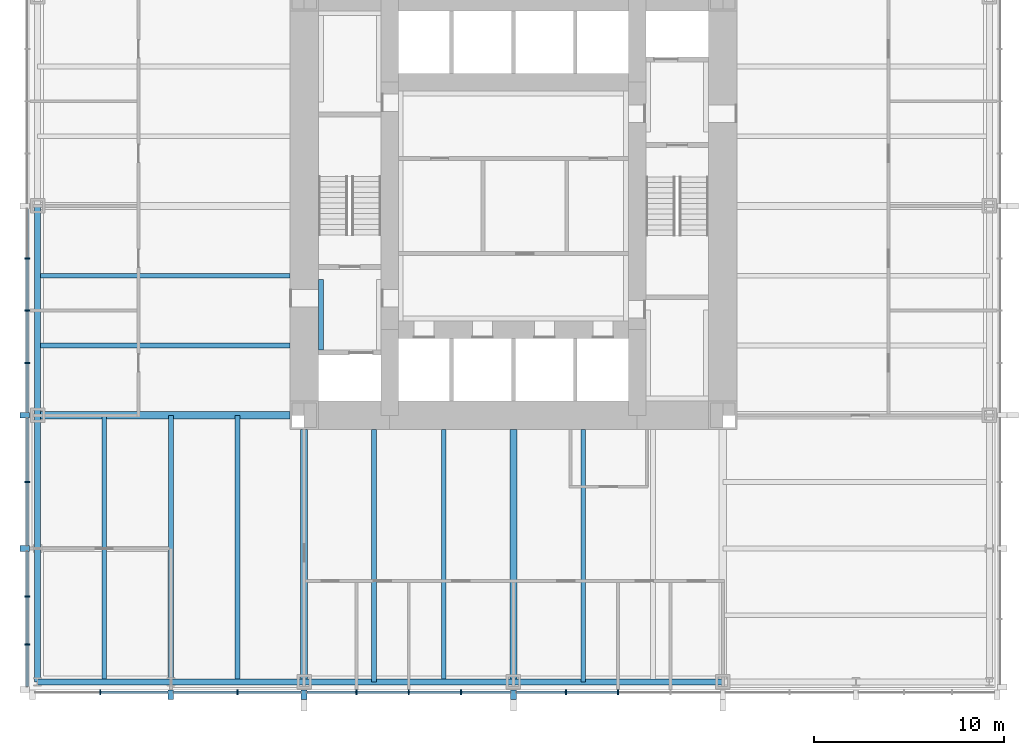
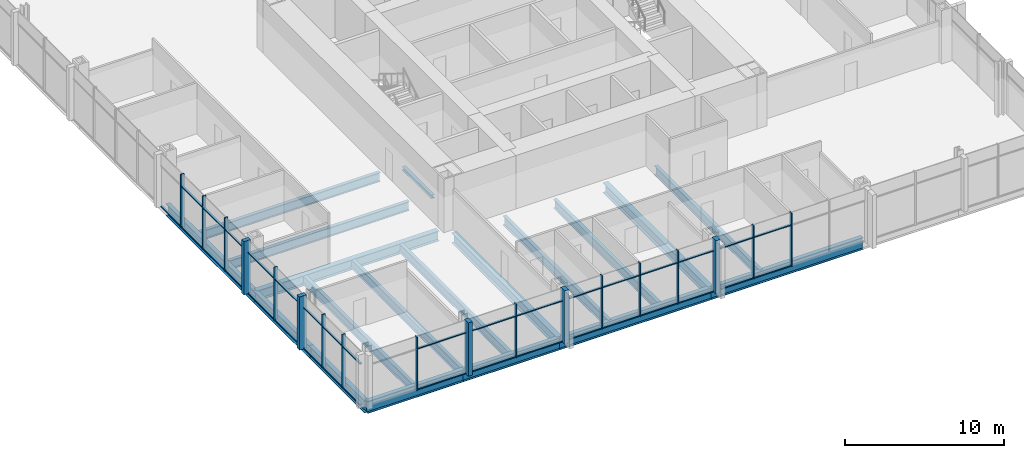
# One storey, part 2 of 12: 53 members, 19 beams, 2 elements without a shape of their own.
"""IFC4 building model written with IfcOpenShell, lengths in metres."""

from ifc_helpers import new_model, si_unit, direction, frame, origin, origin_2d, place, context, subcontext, project, spatial, rectangle, i_section, extrude, material, material_profile, profile_set, type_object, element, aggregate, save


model = new_model("IFC4")

# Units and contexts
model_context = context("Model", 3, precision=1e-05, world=origin(), true_north=direction((0.0, 1.0)))
body_context = subcontext(model_context, "Body", "Model", "MODEL_VIEW")
ifc_project = project(units=[si_unit("LENGTHUNIT", "METRE"), si_unit("AREAUNIT", "SQUARE_METRE"), si_unit("VOLUMEUNIT", "CUBIC_METRE"), si_unit("PLANEANGLEUNIT", "RADIAN"), si_unit("MASSUNIT", "GRAM", prefix="KILO")], contexts=[model_context])

# Site, building, storey
site_placement = place(None, origin())
site = spatial("IfcSite", under=ifc_project, at=site_placement, CompositionType="ELEMENT")
building_placement = place(site_placement, origin())
building = spatial("IfcBuilding", under=site, at=building_placement, Name="Trevanion Tower", CompositionType="ELEMENT")
storey_placement = place(building_placement, frame((0.0, 0.0, 69.300048828125)))
storey = spatial("IfcBuildingStorey", under=building, at=storey_placement, Name="L16", CompositionType="ELEMENT", Elevation=69.300048828125)

# Beams
ifc_material_1 = material(Name="Steel ASTM A992 Grade 50", Category="steel")
ifc_material_profile_1 = material_profile(ifc_material_1, i_section(OverallWidth=0.25390625, OverallDepth=0.700927734375, WebThickness=0.015380859375, FlangeThickness=0.02783203125, at=origin_2d()), Name="W27X129")
ifc_profile_set_1 = profile_set([ifc_material_profile_1], Name="Steel ASTM A992 Grade 50")
beam_type_1 = type_object("IfcBeamType", Name="B3 W27X129", PredefinedType="BEAM", material=ifc_profile_set_1)
for number, where, z_axis, x_axis, name in (
    (1, (-11.75, -3.666748046875, -0.54052734375), (-1.0, 0.0, 0.0), (0.0, -1.0, 0.0), "B3 L16"),
    (2, (-11.75, -7.333251953125, -0.54052734375), (-1.0, 0.0, 0.0), (0.0, -1.0, 0.0), "B3 L16"),
    (3, (-7.333251953125, -11.75, -0.54052734375), (0.0, -1.0, 0.0), (1.0, 0.0, 0.0), "B3 L16"),
    (4, (-3.666748046875, -11.75, -0.54052734375), (0.0, -1.0, 0.0), (1.0, 0.0, 0.0), "B3 L16"),
    (5, (3.666748046875, -11.75, -0.54052734375), (0.0, -1.0, 0.0), (1.0, 0.0, 0.0), "B3 L16"),
):
    element("IfcBeam", number, at=place(storey_placement, frame(where, z_axis=z_axis, x_axis=x_axis)), inside=storey, type_object=beam_type_1, Name=name, PredefinedType="BEAM", context=body_context, shape_type="SweptSolid", body=[
        extrude(i_section(OverallWidth=0.25390625, OverallDepth=0.700927734375, WebThickness=0.015380859375, FlangeThickness=0.02783203125, at=origin_2d()), origin(), (0.0, 0.0, 1.0), 13.25),
    ])
ifc_material_2 = material(Name="Steel ASTM A992 Grade 50", Category="steel")
ifc_material_profile_2 = material_profile(ifc_material_2, i_section(OverallWidth=0.256591796875, OverallDepth=0.693359375, WebThickness=0.014404296875, FlangeThickness=0.023681640625, at=origin_2d()), Name="W27X114")
ifc_profile_set_2 = profile_set([ifc_material_profile_2], Name="Steel ASTM A992 Grade 50")
beam_type_2 = type_object("IfcBeamType", Name="B4 W27X114", PredefinedType="BEAM", material=ifc_profile_set_2)
for number, where, z_axis, x_axis, name in (
    (6, (-14.5, -11.0, -0.536865234375), (0.0, -1.0, 0.0), (1.0, 0.0, 0.0), "B4 L16"),
    (7, (-18.0, -11.0, -0.536865234375), (0.0, -1.0, 0.0), (1.0, 0.0, 0.0), "B4 L16"),
    (8, (-21.5, -11.0, -0.536865234375), (0.0, -1.0, 0.0), (1.0, 0.0, 0.0), "B4 L16"),
):
    element("IfcBeam", number, at=place(storey_placement, frame(where, z_axis=z_axis, x_axis=x_axis)), inside=storey, type_object=beam_type_2, Name=name, PredefinedType="BEAM", context=body_context, shape_type="SweptSolid", body=[
        extrude(i_section(OverallWidth=0.256591796875, OverallDepth=0.693359375, WebThickness=0.014404296875, FlangeThickness=0.023681640625, at=origin_2d()), origin(), (0.0, 0.0, 1.0), 14.0),
    ])

# Curtain wall, members
ifc_material_3 = material(Name="Aluminium and glass", Category="aluminium")
curtain_wall_type = type_object("IfcCurtainWallType", Name="CW1 curtain wall", PredefinedType="USERDEFINED", material=ifc_material_3)
curtain_wall_1_placement = place(storey_placement, origin())
curtain_wall_1 = element("IfcCurtainWall", 9, at=curtain_wall_1_placement, inside=storey, type_object=curtain_wall_type, Name="CW1 L16 2", ObjectType="UNITISED CURTAIN WALL", PredefinedType="USERDEFINED")
ifc_material_4 = material(Name="Aluminium extrusion, anodised bronze", Category="aluminium")
ifc_material_profile_3 = material_profile(ifc_material_4, rectangle(XDim=0.074951171875, YDim=0.25, at=origin_2d()), Name="CW1 mullion")
ifc_profile_set_3 = profile_set([ifc_material_profile_3], Name="Aluminium extrusion, anodised bronze")
member_type_1 = type_object("IfcMemberType", Name="CW1 mullion", PredefinedType="MULLION", material=ifc_profile_set_3)
member_1_placement = place(storey_placement, frame((-25.550048828125, -2.75, -0.18994140625), z_axis=(0.0, 0.0, 1.0), x_axis=(0.0, -1.0, 0.0)))
member_1 = element("IfcMember", 10, at=member_1_placement, type_object=member_type_1, Name="CW1 mullion 10", PredefinedType="MULLION", context=body_context, shape_type="SweptSolid", body=[
    extrude(rectangle(XDim=0.074951171875, YDim=0.25, at=origin_2d()), origin(), (0.0, 0.0, 1.0), 4.099853515625),
])
member_2_placement = place(storey_placement, frame((-25.550048828125, -5.5, -0.18994140625), z_axis=(0.0, 0.0, 1.0), x_axis=(0.0, -1.0, 0.0)))
member_2 = element("IfcMember", 11, at=member_2_placement, type_object=member_type_1, Name="CW1 mullion 11", PredefinedType="MULLION", context=body_context, shape_type="SweptSolid", body=[
    extrude(rectangle(XDim=0.074951171875, YDim=0.25, at=origin_2d()), origin(), (0.0, 0.0, 1.0), 4.099853515625),
])
member_3_placement = place(storey_placement, frame((-25.550048828125, -8.25, -0.18994140625), z_axis=(0.0, 0.0, 1.0), x_axis=(0.0, -1.0, 0.0)))
member_3 = element("IfcMember", 12, at=member_3_placement, type_object=member_type_1, Name="CW1 mullion 12", PredefinedType="MULLION", context=body_context, shape_type="SweptSolid", body=[
    extrude(rectangle(XDim=0.074951171875, YDim=0.25, at=origin_2d()), origin(), (0.0, 0.0, 1.0), 4.099853515625),
])
member_4_placement = place(storey_placement, frame((-25.550048828125, -14.5, -0.18994140625), z_axis=(0.0, 0.0, 1.0), x_axis=(0.0, -1.0, 0.0)))
member_4 = element("IfcMember", 13, at=member_4_placement, type_object=member_type_1, Name="CW1 mullion 14", PredefinedType="MULLION", context=body_context, shape_type="SweptSolid", body=[
    extrude(rectangle(XDim=0.074951171875, YDim=0.25, at=origin_2d()), origin(), (0.0, 0.0, 1.0), 4.099853515625),
])
member_5_placement = place(storey_placement, frame((-25.550048828125, -20.5166015625, -0.18994140625), z_axis=(0.0, 0.0, 1.0), x_axis=(0.0, -1.0, 0.0)))
member_5 = element("IfcMember", 14, at=member_5_placement, type_object=member_type_1, Name="CW1 mullion 16", PredefinedType="MULLION", context=body_context, shape_type="SweptSolid", body=[
    extrude(rectangle(XDim=0.074951171875, YDim=0.25, at=origin_2d()), origin(), (0.0, 0.0, 1.0), 4.099853515625),
])
member_6_placement = place(storey_placement, frame((-25.550048828125, -23.033203125, -0.18994140625), z_axis=(0.0, 0.0, 1.0), x_axis=(0.0, -1.0, 0.0)))
member_6 = element("IfcMember", 15, at=member_6_placement, type_object=member_type_1, Name="CW1 mullion 17", PredefinedType="MULLION", context=body_context, shape_type="SweptSolid", body=[
    extrude(rectangle(XDim=0.074951171875, YDim=0.25, at=origin_2d()), origin(), (0.0, 0.0, 1.0), 4.099853515625),
])

curtain_wall_2_placement = place(storey_placement, origin())
curtain_wall_2 = element("IfcCurtainWall", 16, at=curtain_wall_2_placement, inside=storey, type_object=curtain_wall_type, Name="CW1 L16 3", ObjectType="UNITISED CURTAIN WALL", PredefinedType="USERDEFINED")
member_7_placement = place(storey_placement, frame((-21.7099609375, -25.550048828125, -0.18994140625), z_axis=(0.0, 0.0, 1.0), x_axis=(1.0, 0.0, 0.0)))
member_7 = element("IfcMember", 17, at=member_7_placement, type_object=member_type_1, Name="CW1 mullion 2", PredefinedType="MULLION", context=body_context, shape_type="SweptSolid", body=[
    extrude(rectangle(XDim=0.074951171875, YDim=0.25, at=origin_2d()), origin(), (0.0, 0.0, 1.0), 4.099853515625),
])
member_8_placement = place(storey_placement, frame((-14.5, -25.550048828125, -0.18994140625), z_axis=(0.0, 0.0, 1.0), x_axis=(1.0, 0.0, 0.0)))
member_8 = element("IfcMember", 18, at=member_8_placement, type_object=member_type_1, Name="CW1 mullion 4", PredefinedType="MULLION", context=body_context, shape_type="SweptSolid", body=[
    extrude(rectangle(XDim=0.074951171875, YDim=0.25, at=origin_2d()), origin(), (0.0, 0.0, 1.0), 4.099853515625),
])
member_9_placement = place(storey_placement, frame((-8.25, -25.550048828125, -0.18994140625), z_axis=(0.0, 0.0, 1.0), x_axis=(1.0, 0.0, 0.0)))
member_9 = element("IfcMember", 19, at=member_9_placement, type_object=member_type_1, Name="CW1 mullion 6", PredefinedType="MULLION", context=body_context, shape_type="SweptSolid", body=[
    extrude(rectangle(XDim=0.074951171875, YDim=0.25, at=origin_2d()), origin(), (0.0, 0.0, 1.0), 4.099853515625),
])
member_10_placement = place(storey_placement, frame((-5.5, -25.550048828125, -0.18994140625), z_axis=(0.0, 0.0, 1.0), x_axis=(1.0, 0.0, 0.0)))
member_10 = element("IfcMember", 20, at=member_10_placement, type_object=member_type_1, Name="CW1 mullion 7", PredefinedType="MULLION", context=body_context, shape_type="SweptSolid", body=[
    extrude(rectangle(XDim=0.074951171875, YDim=0.25, at=origin_2d()), origin(), (0.0, 0.0, 1.0), 4.099853515625),
])
member_11_placement = place(storey_placement, frame((-2.75, -25.550048828125, -0.18994140625), z_axis=(0.0, 0.0, 1.0), x_axis=(1.0, 0.0, 0.0)))
member_11 = element("IfcMember", 21, at=member_11_placement, type_object=member_type_1, Name="CW1 mullion 8", PredefinedType="MULLION", context=body_context, shape_type="SweptSolid", body=[
    extrude(rectangle(XDim=0.074951171875, YDim=0.25, at=origin_2d()), origin(), (0.0, 0.0, 1.0), 4.099853515625),
])
member_12_placement = place(storey_placement, frame((2.75, -25.550048828125, -0.18994140625), z_axis=(0.0, 0.0, 1.0), x_axis=(1.0, 0.0, 0.0)))
member_12 = element("IfcMember", 22, at=member_12_placement, type_object=member_type_1, Name="CW1 mullion 10", PredefinedType="MULLION", context=body_context, shape_type="SweptSolid", body=[
    extrude(rectangle(XDim=0.074951171875, YDim=0.25, at=origin_2d()), origin(), (0.0, 0.0, 1.0), 4.099853515625),
])
member_13_placement = place(storey_placement, frame((5.5, -25.550048828125, -0.18994140625), z_axis=(0.0, 0.0, 1.0), x_axis=(1.0, 0.0, 0.0)))
member_13 = element("IfcMember", 23, at=member_13_placement, type_object=member_type_1, Name="CW1 mullion 11", PredefinedType="MULLION", context=body_context, shape_type="SweptSolid", body=[
    extrude(rectangle(XDim=0.074951171875, YDim=0.25, at=origin_2d()), origin(), (0.0, 0.0, 1.0), 4.099853515625),
])

# Member
ifc_material_5 = material(Name="Aluminium extrusion, anodised bronze", Category="aluminium")
ifc_material_profile_4 = material_profile(ifc_material_5, rectangle(XDim=0.300048828125, YDim=0.5, at=origin_2d()), Name="CW1 pier mullion")
ifc_profile_set_4 = profile_set([ifc_material_profile_4], Name="Aluminium extrusion, anodised bronze")
member_type_2 = type_object("IfcMemberType", Name="CW1 pier mullion", PredefinedType="MULLION", material=ifc_profile_set_4)
member_14_placement = place(storey_placement, frame((-25.675048828125, -11.0, -0.18994140625), z_axis=(0.0, 0.0, 1.0), x_axis=(0.0, -1.0, 0.0)))
member_14 = element("IfcMember", 24, at=member_14_placement, type_object=member_type_2, Name="CW1 pier mullion 13", PredefinedType="MULLION", context=body_context, shape_type="SweptSolid", body=[
    extrude(rectangle(XDim=0.300048828125, YDim=0.5, at=origin_2d()), origin(), (0.0, 0.0, 1.0), 4.099853515625),
])

member_15_placement = place(storey_placement, frame((-25.675048828125, -18.0, -0.18994140625), z_axis=(0.0, 0.0, 1.0), x_axis=(0.0, -1.0, 0.0)))
member_15 = element("IfcMember", 25, at=member_15_placement, type_object=member_type_2, Name="CW1 pier mullion 15", PredefinedType="MULLION", context=body_context, shape_type="SweptSolid", body=[
    extrude(rectangle(XDim=0.300048828125, YDim=0.5, at=origin_2d()), origin(), (0.0, 0.0, 1.0), 4.099853515625),
])

member_16_placement = place(storey_placement, frame((-18.0, -25.675048828125, -0.18994140625), z_axis=(0.0, 0.0, 1.0), x_axis=(1.0, 0.0, 0.0)))
member_16 = element("IfcMember", 26, at=member_16_placement, type_object=member_type_2, Name="CW1 pier mullion 3", PredefinedType="MULLION", context=body_context, shape_type="SweptSolid", body=[
    extrude(rectangle(XDim=0.300048828125, YDim=0.5, at=origin_2d()), origin(), (0.0, 0.0, 1.0), 4.099853515625),
])

member_17_placement = place(storey_placement, frame((-11.0, -25.675048828125, -0.18994140625), z_axis=(0.0, 0.0, 1.0), x_axis=(1.0, 0.0, 0.0)))
member_17 = element("IfcMember", 27, at=member_17_placement, type_object=member_type_2, Name="CW1 pier mullion 5", PredefinedType="MULLION", context=body_context, shape_type="SweptSolid", body=[
    extrude(rectangle(XDim=0.300048828125, YDim=0.5, at=origin_2d()), origin(), (0.0, 0.0, 1.0), 4.099853515625),
])

member_18_placement = place(storey_placement, frame((0.0, -25.675048828125, -0.18994140625), z_axis=(0.0, 0.0, 1.0), x_axis=(1.0, 0.0, 0.0)))
member_18 = element("IfcMember", 28, at=member_18_placement, type_object=member_type_2, Name="CW1 pier mullion 9", PredefinedType="MULLION", context=body_context, shape_type="SweptSolid", body=[
    extrude(rectangle(XDim=0.300048828125, YDim=0.5, at=origin_2d()), origin(), (0.0, 0.0, 1.0), 4.099853515625),
])

ifc_material_6 = material(Name="Aluminium extrusion, anodised bronze", Category="aluminium")
ifc_material_profile_5 = material_profile(ifc_material_6, rectangle(XDim=0.14990234375, YDim=0.074951171875, at=origin_2d()), Name="CW1 transom")
ifc_profile_set_5 = profile_set([ifc_material_profile_5], Name="Aluminium extrusion, anodised bronze")
member_type_3 = type_object("IfcMemberType", Name="CW1 transom", PredefinedType="USERDEFINED", material=ifc_profile_set_5)
member_19_placement = place(storey_placement, frame((-25.550048828125, -0.14990234375, -0.152587890625), z_axis=(0.0, -1.0, 0.0), x_axis=(1.0, 0.0, 0.0)))
member_19 = element("IfcMember", 29, at=member_19_placement, type_object=member_type_3, Name="CW1 transom 9.1", ObjectType="TRANSOM", PredefinedType="USERDEFINED", context=body_context, shape_type="SweptSolid", body=[
    extrude(rectangle(XDim=0.14990234375, YDim=0.074951171875, at=origin_2d()), origin(), (0.0, 0.0, 1.0), 2.5625),
])

member_20_placement = place(storey_placement, frame((-25.550048828125, -2.78759765625, -0.152587890625), z_axis=(0.0, -1.0, 0.0), x_axis=(1.0, 0.0, 0.0)))
member_20 = element("IfcMember", 30, at=member_20_placement, type_object=member_type_3, Name="CW1 transom 10.1", ObjectType="TRANSOM", PredefinedType="USERDEFINED", context=body_context, shape_type="SweptSolid", body=[
    extrude(rectangle(XDim=0.14990234375, YDim=0.074951171875, at=origin_2d()), origin(), (0.0, 0.0, 1.0), 2.6748046875),
])

member_21_placement = place(storey_placement, frame((-25.550048828125, -2.78759765625, 2.9599609375), z_axis=(0.0, -1.0, 0.0), x_axis=(1.0, 0.0, 0.0)))
member_21 = element("IfcMember", 31, at=member_21_placement, type_object=member_type_3, Name="CW1 transom 10.2", ObjectType="TRANSOM", PredefinedType="USERDEFINED", context=body_context, shape_type="SweptSolid", body=[
    extrude(rectangle(XDim=0.14990234375, YDim=0.074951171875, at=origin_2d()), origin(), (0.0, 0.0, 1.0), 2.6748046875),
])

member_22_placement = place(storey_placement, frame((-25.550048828125, -5.53759765625, -0.152587890625), z_axis=(0.0, -1.0, 0.0), x_axis=(1.0, 0.0, 0.0)))
member_22 = element("IfcMember", 32, at=member_22_placement, type_object=member_type_3, Name="CW1 transom 11.1", ObjectType="TRANSOM", PredefinedType="USERDEFINED", context=body_context, shape_type="SweptSolid", body=[
    extrude(rectangle(XDim=0.14990234375, YDim=0.074951171875, at=origin_2d()), origin(), (0.0, 0.0, 1.0), 2.6748046875),
])

member_23_placement = place(storey_placement, frame((-25.550048828125, -5.53759765625, 2.9599609375), z_axis=(0.0, -1.0, 0.0), x_axis=(1.0, 0.0, 0.0)))
member_23 = element("IfcMember", 33, at=member_23_placement, type_object=member_type_3, Name="CW1 transom 11.2", ObjectType="TRANSOM", PredefinedType="USERDEFINED", context=body_context, shape_type="SweptSolid", body=[
    extrude(rectangle(XDim=0.14990234375, YDim=0.074951171875, at=origin_2d()), origin(), (0.0, 0.0, 1.0), 2.6748046875),
])

member_24_placement = place(storey_placement, frame((-25.550048828125, -8.28759765625, -0.152587890625), z_axis=(0.0, -1.0, 0.0), x_axis=(1.0, 0.0, 0.0)))
member_24 = element("IfcMember", 34, at=member_24_placement, type_object=member_type_3, Name="CW1 transom 12.1", ObjectType="TRANSOM", PredefinedType="USERDEFINED", context=body_context, shape_type="SweptSolid", body=[
    extrude(rectangle(XDim=0.14990234375, YDim=0.074951171875, at=origin_2d()), origin(), (0.0, 0.0, 1.0), 2.5625),
])

member_25_placement = place(storey_placement, frame((-25.550048828125, -8.28759765625, 2.9599609375), z_axis=(0.0, -1.0, 0.0), x_axis=(1.0, 0.0, 0.0)))
member_25 = element("IfcMember", 35, at=member_25_placement, type_object=member_type_3, Name="CW1 transom 12.2", ObjectType="TRANSOM", PredefinedType="USERDEFINED", context=body_context, shape_type="SweptSolid", body=[
    extrude(rectangle(XDim=0.14990234375, YDim=0.074951171875, at=origin_2d()), origin(), (0.0, 0.0, 1.0), 2.5625),
])

member_26_placement = place(storey_placement, frame((-25.550048828125, -11.14990234375, -0.152587890625), z_axis=(0.0, -1.0, 0.0), x_axis=(1.0, 0.0, 0.0)))
member_26 = element("IfcMember", 36, at=member_26_placement, type_object=member_type_3, Name="CW1 transom 13.1", ObjectType="TRANSOM", PredefinedType="USERDEFINED", context=body_context, shape_type="SweptSolid", body=[
    extrude(rectangle(XDim=0.14990234375, YDim=0.074951171875, at=origin_2d()), origin(), (0.0, 0.0, 1.0), 3.3125),
])

member_27_placement = place(storey_placement, frame((-25.550048828125, -11.14990234375, 2.9599609375), z_axis=(0.0, -1.0, 0.0), x_axis=(1.0, 0.0, 0.0)))
member_27 = element("IfcMember", 37, at=member_27_placement, type_object=member_type_3, Name="CW1 transom 13.2", ObjectType="TRANSOM", PredefinedType="USERDEFINED", context=body_context, shape_type="SweptSolid", body=[
    extrude(rectangle(XDim=0.14990234375, YDim=0.074951171875, at=origin_2d()), origin(), (0.0, 0.0, 1.0), 3.3125),
])

member_28_placement = place(storey_placement, frame((-25.550048828125, -14.53759765625, -0.152587890625), z_axis=(0.0, -1.0, 0.0), x_axis=(1.0, 0.0, 0.0)))
member_28 = element("IfcMember", 38, at=member_28_placement, type_object=member_type_3, Name="CW1 transom 14.1", ObjectType="TRANSOM", PredefinedType="USERDEFINED", context=body_context, shape_type="SweptSolid", body=[
    extrude(rectangle(XDim=0.14990234375, YDim=0.074951171875, at=origin_2d()), origin(), (0.0, 0.0, 1.0), 3.3125),
])

member_29_placement = place(storey_placement, frame((-25.550048828125, -14.53759765625, 2.9599609375), z_axis=(0.0, -1.0, 0.0), x_axis=(1.0, 0.0, 0.0)))
member_29 = element("IfcMember", 39, at=member_29_placement, type_object=member_type_3, Name="CW1 transom 14.2", ObjectType="TRANSOM", PredefinedType="USERDEFINED", context=body_context, shape_type="SweptSolid", body=[
    extrude(rectangle(XDim=0.14990234375, YDim=0.074951171875, at=origin_2d()), origin(), (0.0, 0.0, 1.0), 3.3125),
])

member_30_placement = place(storey_placement, frame((-25.550048828125, -18.14990234375, -0.152587890625), z_axis=(0.0, -1.0, 0.0), x_axis=(1.0, 0.0, 0.0)))
member_30 = element("IfcMember", 40, at=member_30_placement, type_object=member_type_3, Name="CW1 transom 15.1", ObjectType="TRANSOM", PredefinedType="USERDEFINED", context=body_context, shape_type="SweptSolid", body=[
    extrude(rectangle(XDim=0.14990234375, YDim=0.074951171875, at=origin_2d()), origin(), (0.0, 0.0, 1.0), 2.329345703125),
])

member_31_placement = place(storey_placement, frame((-25.550048828125, -18.14990234375, 2.9599609375), z_axis=(0.0, -1.0, 0.0), x_axis=(1.0, 0.0, 0.0)))
member_31 = element("IfcMember", 41, at=member_31_placement, type_object=member_type_3, Name="CW1 transom 15.2", ObjectType="TRANSOM", PredefinedType="USERDEFINED", context=body_context, shape_type="SweptSolid", body=[
    extrude(rectangle(XDim=0.14990234375, YDim=0.074951171875, at=origin_2d()), origin(), (0.0, 0.0, 1.0), 2.329345703125),
])

member_32_placement = place(storey_placement, frame((-25.550048828125, -20.55419921875, -0.152587890625), z_axis=(0.0, -1.0, 0.0), x_axis=(1.0, 0.0, 0.0)))
member_32 = element("IfcMember", 42, at=member_32_placement, type_object=member_type_3, Name="CW1 transom 16.1", ObjectType="TRANSOM", PredefinedType="USERDEFINED", context=body_context, shape_type="SweptSolid", body=[
    extrude(rectangle(XDim=0.14990234375, YDim=0.074951171875, at=origin_2d()), origin(), (0.0, 0.0, 1.0), 2.441650390625),
])

member_33_placement = place(storey_placement, frame((-25.550048828125, -20.55419921875, 2.9599609375), z_axis=(0.0, -1.0, 0.0), x_axis=(1.0, 0.0, 0.0)))
member_33 = element("IfcMember", 43, at=member_33_placement, type_object=member_type_3, Name="CW1 transom 16.2", ObjectType="TRANSOM", PredefinedType="USERDEFINED", context=body_context, shape_type="SweptSolid", body=[
    extrude(rectangle(XDim=0.14990234375, YDim=0.074951171875, at=origin_2d()), origin(), (0.0, 0.0, 1.0), 2.441650390625),
])

member_34_placement = place(storey_placement, frame((-25.550048828125, -23.07080078125, -0.152587890625), z_axis=(0.0, -1.0, 0.0), x_axis=(1.0, 0.0, 0.0)))
member_34 = element("IfcMember", 44, at=member_34_placement, type_object=member_type_3, Name="CW1 transom 17.1", ObjectType="TRANSOM", PredefinedType="USERDEFINED", context=body_context, shape_type="SweptSolid", body=[
    extrude(rectangle(XDim=0.14990234375, YDim=0.074951171875, at=origin_2d()), origin(), (0.0, 0.0, 1.0), 2.17919921875),
])

member_35_placement = place(storey_placement, frame((-25.550048828125, -23.07080078125, 2.9599609375), z_axis=(0.0, -1.0, 0.0), x_axis=(1.0, 0.0, 0.0)))
member_35 = element("IfcMember", 45, at=member_35_placement, type_object=member_type_3, Name="CW1 transom 17.2", ObjectType="TRANSOM", PredefinedType="USERDEFINED", context=body_context, shape_type="SweptSolid", body=[
    extrude(rectangle(XDim=0.14990234375, YDim=0.074951171875, at=origin_2d()), origin(), (0.0, 0.0, 1.0), 2.17919921875),
])

aggregate(curtain_wall_1, [member_1, member_2, member_3, member_14, member_4, member_15, member_5, member_6, member_19, member_20, member_21, member_22, member_23, member_24, member_25, member_26, member_27, member_28, member_29, member_30, member_31, member_32, member_33, member_34, member_35])

member_36_placement = place(storey_placement, frame((-21.672607421875, -25.550048828125, -0.152587890625), z_axis=(1.0, 0.0, 0.0), x_axis=(0.0, 1.0, 0.0)))
member_36 = element("IfcMember", 46, at=member_36_placement, type_object=member_type_3, Name="CW1 transom 2.1", ObjectType="TRANSOM", PredefinedType="USERDEFINED", context=body_context, shape_type="SweptSolid", body=[
    extrude(rectangle(XDim=0.14990234375, YDim=0.074951171875, at=origin_2d()), origin(), (0.0, 0.0, 1.0), 3.522705078125),
])

member_37_placement = place(storey_placement, frame((-21.672607421875, -25.550048828125, 2.9599609375), z_axis=(1.0, 0.0, 0.0), x_axis=(0.0, 1.0, 0.0)))
member_37 = element("IfcMember", 47, at=member_37_placement, type_object=member_type_3, Name="CW1 transom 2.2", ObjectType="TRANSOM", PredefinedType="USERDEFINED", context=body_context, shape_type="SweptSolid", body=[
    extrude(rectangle(XDim=0.14990234375, YDim=0.074951171875, at=origin_2d()), origin(), (0.0, 0.0, 1.0), 3.522705078125),
])

member_38_placement = place(storey_placement, frame((-17.85009765625, -25.550048828125, -0.152587890625), z_axis=(1.0, 0.0, 0.0), x_axis=(0.0, 1.0, 0.0)))
member_38 = element("IfcMember", 48, at=member_38_placement, type_object=member_type_3, Name="CW1 transom 3.1", ObjectType="TRANSOM", PredefinedType="USERDEFINED", context=body_context, shape_type="SweptSolid", body=[
    extrude(rectangle(XDim=0.14990234375, YDim=0.074951171875, at=origin_2d()), origin(), (0.0, 0.0, 1.0), 3.3125),
])

member_39_placement = place(storey_placement, frame((-17.85009765625, -25.550048828125, 2.9599609375), z_axis=(1.0, 0.0, 0.0), x_axis=(0.0, 1.0, 0.0)))
member_39 = element("IfcMember", 49, at=member_39_placement, type_object=member_type_3, Name="CW1 transom 3.2", ObjectType="TRANSOM", PredefinedType="USERDEFINED", context=body_context, shape_type="SweptSolid", body=[
    extrude(rectangle(XDim=0.14990234375, YDim=0.074951171875, at=origin_2d()), origin(), (0.0, 0.0, 1.0), 3.3125),
])

member_40_placement = place(storey_placement, frame((-14.46240234375, -25.550048828125, -0.152587890625), z_axis=(1.0, 0.0, 0.0), x_axis=(0.0, 1.0, 0.0)))
member_40 = element("IfcMember", 50, at=member_40_placement, type_object=member_type_3, Name="CW1 transom 4.1", ObjectType="TRANSOM", PredefinedType="USERDEFINED", context=body_context, shape_type="SweptSolid", body=[
    extrude(rectangle(XDim=0.14990234375, YDim=0.074951171875, at=origin_2d()), origin(), (0.0, 0.0, 1.0), 3.3125),
])

member_41_placement = place(storey_placement, frame((-14.46240234375, -25.550048828125, 2.9599609375), z_axis=(1.0, 0.0, 0.0), x_axis=(0.0, 1.0, 0.0)))
member_41 = element("IfcMember", 51, at=member_41_placement, type_object=member_type_3, Name="CW1 transom 4.2", ObjectType="TRANSOM", PredefinedType="USERDEFINED", context=body_context, shape_type="SweptSolid", body=[
    extrude(rectangle(XDim=0.14990234375, YDim=0.074951171875, at=origin_2d()), origin(), (0.0, 0.0, 1.0), 3.3125),
])

member_42_placement = place(storey_placement, frame((-10.85009765625, -25.550048828125, -0.152587890625), z_axis=(1.0, 0.0, 0.0), x_axis=(0.0, 1.0, 0.0)))
member_42 = element("IfcMember", 52, at=member_42_placement, type_object=member_type_3, Name="CW1 transom 5.1", ObjectType="TRANSOM", PredefinedType="USERDEFINED", context=body_context, shape_type="SweptSolid", body=[
    extrude(rectangle(XDim=0.14990234375, YDim=0.074951171875, at=origin_2d()), origin(), (0.0, 0.0, 1.0), 2.5625),
])

member_43_placement = place(storey_placement, frame((-10.85009765625, -25.550048828125, 2.9599609375), z_axis=(1.0, 0.0, 0.0), x_axis=(0.0, 1.0, 0.0)))
member_43 = element("IfcMember", 53, at=member_43_placement, type_object=member_type_3, Name="CW1 transom 5.2", ObjectType="TRANSOM", PredefinedType="USERDEFINED", context=body_context, shape_type="SweptSolid", body=[
    extrude(rectangle(XDim=0.14990234375, YDim=0.074951171875, at=origin_2d()), origin(), (0.0, 0.0, 1.0), 2.5625),
])

member_44_placement = place(storey_placement, frame((-8.21240234375, -25.550048828125, -0.152587890625), z_axis=(1.0, 0.0, 0.0), x_axis=(0.0, 1.0, 0.0)))
member_44 = element("IfcMember", 54, at=member_44_placement, type_object=member_type_3, Name="CW1 transom 6.1", ObjectType="TRANSOM", PredefinedType="USERDEFINED", context=body_context, shape_type="SweptSolid", body=[
    extrude(rectangle(XDim=0.14990234375, YDim=0.074951171875, at=origin_2d()), origin(), (0.0, 0.0, 1.0), 2.6748046875),
])

member_45_placement = place(storey_placement, frame((-8.21240234375, -25.550048828125, 2.9599609375), z_axis=(1.0, 0.0, 0.0), x_axis=(0.0, 1.0, 0.0)))
member_45 = element("IfcMember", 55, at=member_45_placement, type_object=member_type_3, Name="CW1 transom 6.2", ObjectType="TRANSOM", PredefinedType="USERDEFINED", context=body_context, shape_type="SweptSolid", body=[
    extrude(rectangle(XDim=0.14990234375, YDim=0.074951171875, at=origin_2d()), origin(), (0.0, 0.0, 1.0), 2.6748046875),
])

member_46_placement = place(storey_placement, frame((-5.46240234375, -25.550048828125, -0.152587890625), z_axis=(1.0, 0.0, 0.0), x_axis=(0.0, 1.0, 0.0)))
member_46 = element("IfcMember", 56, at=member_46_placement, type_object=member_type_3, Name="CW1 transom 7.1", ObjectType="TRANSOM", PredefinedType="USERDEFINED", context=body_context, shape_type="SweptSolid", body=[
    extrude(rectangle(XDim=0.14990234375, YDim=0.074951171875, at=origin_2d()), origin(), (0.0, 0.0, 1.0), 2.6748046875),
])

member_47_placement = place(storey_placement, frame((-5.46240234375, -25.550048828125, 2.9599609375), z_axis=(1.0, 0.0, 0.0), x_axis=(0.0, 1.0, 0.0)))
member_47 = element("IfcMember", 57, at=member_47_placement, type_object=member_type_3, Name="CW1 transom 7.2", ObjectType="TRANSOM", PredefinedType="USERDEFINED", context=body_context, shape_type="SweptSolid", body=[
    extrude(rectangle(XDim=0.14990234375, YDim=0.074951171875, at=origin_2d()), origin(), (0.0, 0.0, 1.0), 2.6748046875),
])

member_48_placement = place(storey_placement, frame((-2.71240234375, -25.550048828125, -0.152587890625), z_axis=(1.0, 0.0, 0.0), x_axis=(0.0, 1.0, 0.0)))
member_48 = element("IfcMember", 58, at=member_48_placement, type_object=member_type_3, Name="CW1 transom 8.1", ObjectType="TRANSOM", PredefinedType="USERDEFINED", context=body_context, shape_type="SweptSolid", body=[
    extrude(rectangle(XDim=0.14990234375, YDim=0.074951171875, at=origin_2d()), origin(), (0.0, 0.0, 1.0), 2.5625),
])

member_49_placement = place(storey_placement, frame((-2.71240234375, -25.550048828125, 2.9599609375), z_axis=(1.0, 0.0, 0.0), x_axis=(0.0, 1.0, 0.0)))
member_49 = element("IfcMember", 59, at=member_49_placement, type_object=member_type_3, Name="CW1 transom 8.2", ObjectType="TRANSOM", PredefinedType="USERDEFINED", context=body_context, shape_type="SweptSolid", body=[
    extrude(rectangle(XDim=0.14990234375, YDim=0.074951171875, at=origin_2d()), origin(), (0.0, 0.0, 1.0), 2.5625),
])

member_50_placement = place(storey_placement, frame((0.14990234375, -25.550048828125, -0.152587890625), z_axis=(1.0, 0.0, 0.0), x_axis=(0.0, 1.0, 0.0)))
member_50 = element("IfcMember", 60, at=member_50_placement, type_object=member_type_3, Name="CW1 transom 9.1", ObjectType="TRANSOM", PredefinedType="USERDEFINED", context=body_context, shape_type="SweptSolid", body=[
    extrude(rectangle(XDim=0.14990234375, YDim=0.074951171875, at=origin_2d()), origin(), (0.0, 0.0, 1.0), 2.5625),
])

member_51_placement = place(storey_placement, frame((0.14990234375, -25.550048828125, 2.9599609375), z_axis=(1.0, 0.0, 0.0), x_axis=(0.0, 1.0, 0.0)))
member_51 = element("IfcMember", 61, at=member_51_placement, type_object=member_type_3, Name="CW1 transom 9.2", ObjectType="TRANSOM", PredefinedType="USERDEFINED", context=body_context, shape_type="SweptSolid", body=[
    extrude(rectangle(XDim=0.14990234375, YDim=0.074951171875, at=origin_2d()), origin(), (0.0, 0.0, 1.0), 2.5625),
])

member_52_placement = place(storey_placement, frame((2.78759765625, -25.550048828125, -0.152587890625), z_axis=(1.0, 0.0, 0.0), x_axis=(0.0, 1.0, 0.0)))
member_52 = element("IfcMember", 62, at=member_52_placement, type_object=member_type_3, Name="CW1 transom 10.1", ObjectType="TRANSOM", PredefinedType="USERDEFINED", context=body_context, shape_type="SweptSolid", body=[
    extrude(rectangle(XDim=0.14990234375, YDim=0.074951171875, at=origin_2d()), origin(), (0.0, 0.0, 1.0), 2.6748046875),
])

member_53_placement = place(storey_placement, frame((2.78759765625, -25.550048828125, 2.9599609375), z_axis=(1.0, 0.0, 0.0), x_axis=(0.0, 1.0, 0.0)))
member_53 = element("IfcMember", 63, at=member_53_placement, type_object=member_type_3, Name="CW1 transom 10.2", ObjectType="TRANSOM", PredefinedType="USERDEFINED", context=body_context, shape_type="SweptSolid", body=[
    extrude(rectangle(XDim=0.14990234375, YDim=0.074951171875, at=origin_2d()), origin(), (0.0, 0.0, 1.0), 2.6748046875),
])

aggregate(curtain_wall_2, [member_7, member_16, member_8, member_17, member_9, member_10, member_11, member_18, member_12, member_13, member_36, member_37, member_38, member_39, member_40, member_41, member_42, member_43, member_44, member_45, member_46, member_47, member_48, member_49, member_50, member_51, member_52, member_53])

# Beams
ifc_material_7 = material(Name="Steel ASTM A992 Grade 50", Category="steel")
ifc_material_profile_6 = material_profile(ifc_material_7, i_section(OverallWidth=0.381103515625, OverallDepth=0.77978515625, WebThickness=0.01806640625, FlangeThickness=0.0302734375, at=origin_2d()), Name="W30X191")
ifc_profile_set_6 = profile_set([ifc_material_profile_6], Name="Steel ASTM A992 Grade 50")
beam_type_3 = type_object("IfcBeamType", Name="G2 W30X191", PredefinedType="BEAM", material=ifc_profile_set_6)
for number, where, z_axis, x_axis, name in (
    (64, (-11.75, -11.0, -0.579833984375), (-1.0, 0.0, 0.0), (0.0, -1.0, 0.0), "G2 L16"),
    (65, (-11.0, -11.75, -0.579833984375), (0.0, -1.0, 0.0), (1.0, 0.0, 0.0), "G2 L16"),
    (66, (0.0, -11.75, -0.579833984375), (0.0, -1.0, 0.0), (1.0, 0.0, 0.0), "G2 L16"),
):
    element("IfcBeam", number, at=place(storey_placement, frame(where, z_axis=z_axis, x_axis=x_axis)), inside=storey, type_object=beam_type_3, Name=name, PredefinedType="BEAM", context=body_context, shape_type="SweptSolid", body=[
        extrude(i_section(OverallWidth=0.381103515625, OverallDepth=0.77978515625, WebThickness=0.01806640625, FlangeThickness=0.0302734375, at=origin_2d()), origin(), (0.0, 0.0, 1.0), 13.25),
    ])
ifc_material_8 = material(Name="Steel ASTM A992 Grade 50", Category="steel")
ifc_material_profile_7 = material_profile(ifc_material_8, i_section(OverallWidth=0.256591796875, OverallDepth=0.26416015625, WebThickness=0.011962890625, FlangeThickness=0.01953125, at=origin_2d()), Name="W10X68")
ifc_profile_set_7 = profile_set([ifc_material_profile_7], Name="Steel ASTM A992 Grade 50")
beam_type_4 = type_object("IfcBeamType", Name="LB1 W10X68", PredefinedType="BEAM", material=ifc_profile_set_7)
beam_1_placement = place(storey_placement, frame((-10.12158203125, -7.574951171875, -0.33203125), z_axis=(0.0, 1.0, 0.0), x_axis=(-1.0, 0.0, 0.0)))
element("IfcBeam", 67, at=beam_1_placement, inside=storey, type_object=beam_type_4, Name="LB1 L16", PredefinedType="BEAM", context=body_context, shape_type="SweptSolid", body=[
    extrude(i_section(OverallWidth=0.256591796875, OverallDepth=0.26416015625, WebThickness=0.011962890625, FlangeThickness=0.01953125, at=origin_2d()), origin(), (0.0, 0.0, 1.0), 3.699951171875),
])
ifc_material_9 = material(Name="Steel ASTM A992 Grade 50", Category="steel")
ifc_material_profile_8 = material_profile(ifc_material_9, i_section(OverallWidth=0.307373046875, OverallDepth=0.927001953125, WebThickness=0.01953125, FlangeThickness=0.031982421875, at=origin_2d()), Name="W36X194")
ifc_profile_set_8 = profile_set([ifc_material_profile_8], Name="Steel ASTM A992 Grade 50")
beam_type_5 = type_object("IfcBeamType", Name="SB2 W36X194", PredefinedType="SPANDREL", material=ifc_profile_set_8)
beam_2_placement = place(storey_placement, frame((-25.0, 0.0, -0.653564453125), z_axis=(0.0, -1.0, 0.0), x_axis=(1.0, 0.0, 0.0)))
element("IfcBeam", 68, at=beam_2_placement, inside=storey, type_object=beam_type_5, Name="SB2 L16", PredefinedType="SPANDREL", context=body_context, shape_type="SweptSolid", body=[
    extrude(i_section(OverallWidth=0.307373046875, OverallDepth=0.927001953125, WebThickness=0.01953125, FlangeThickness=0.031982421875, at=origin_2d()), origin(), (0.0, 0.0, 1.0), 11.0),
])
for number, where, z_axis, x_axis, name in (
    (69, (-25.0, -11.0, -0.653564453125), (0.0, -1.0, 0.0), (1.0, 0.0, 0.0), "SB2 L16"),
    (70, (-25.0, -18.0, -0.653564453125), (0.0, -1.0, 0.0), (1.0, 0.0, 0.0), "SB2 L16"),
    (71, (-25.0, -25.0, -0.653564453125), (1.0, 0.0, 0.0), (0.0, 1.0, 0.0), "SB2 L16"),
    (72, (-18.0, -25.0, -0.653564453125), (1.0, 0.0, 0.0), (0.0, 1.0, 0.0), "SB2 L16"),
):
    element("IfcBeam", number, at=place(storey_placement, frame(where, z_axis=z_axis, x_axis=x_axis)), inside=storey, type_object=beam_type_5, Name=name, PredefinedType="SPANDREL", context=body_context, shape_type="SweptSolid", body=[
        extrude(i_section(OverallWidth=0.307373046875, OverallDepth=0.927001953125, WebThickness=0.01953125, FlangeThickness=0.031982421875, at=origin_2d()), origin(), (0.0, 0.0, 1.0), 7.0),
    ])
for number, where, z_axis, x_axis, name in (
    (73, (-11.0, -25.0, -0.653564453125), (1.0, 0.0, 0.0), (0.0, 1.0, 0.0), "SB2 L16"),
    (74, (0.0, -25.0, -0.653564453125), (1.0, 0.0, 0.0), (0.0, 1.0, 0.0), "SB2 L16"),
):
    element("IfcBeam", number, at=place(storey_placement, frame(where, z_axis=z_axis, x_axis=x_axis)), inside=storey, type_object=beam_type_5, Name=name, PredefinedType="SPANDREL", context=body_context, shape_type="SweptSolid", body=[
        extrude(i_section(OverallWidth=0.307373046875, OverallDepth=0.927001953125, WebThickness=0.01953125, FlangeThickness=0.031982421875, at=origin_2d()), origin(), (0.0, 0.0, 1.0), 11.0),
    ])

save(model, "model.ifc")
